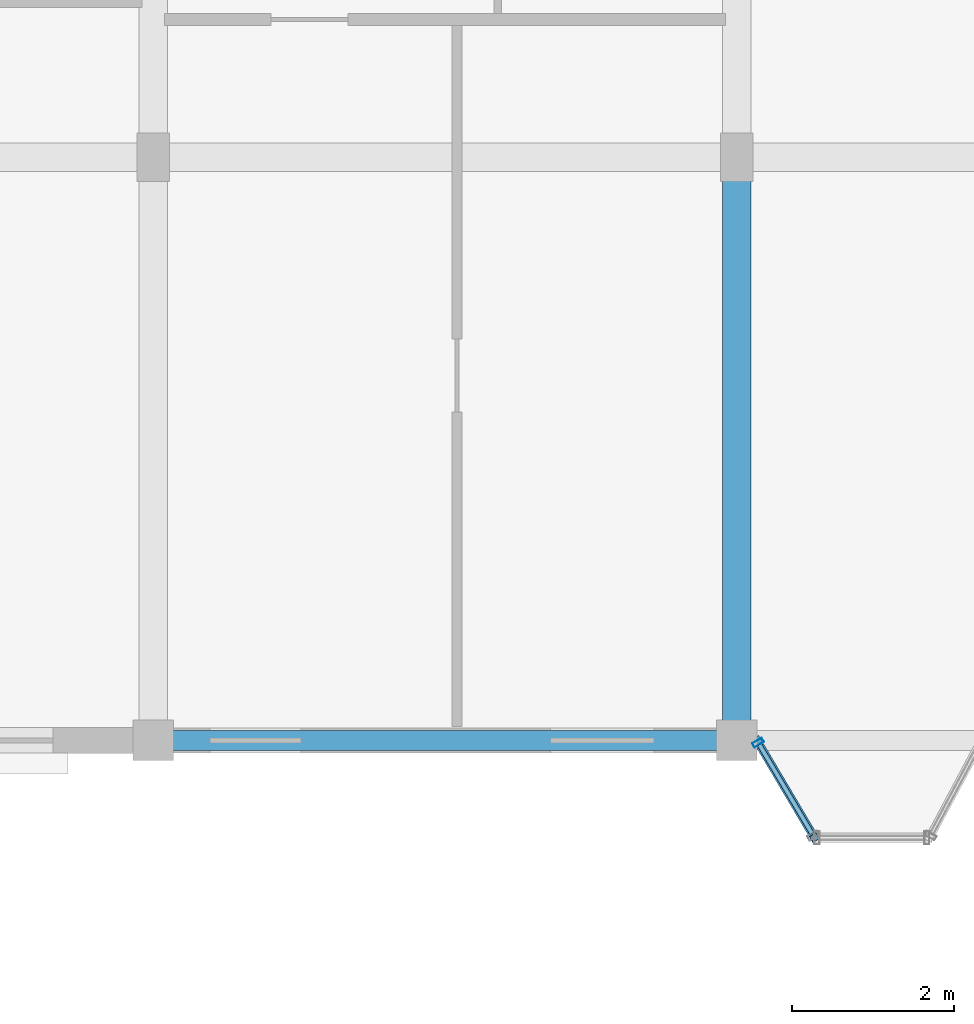
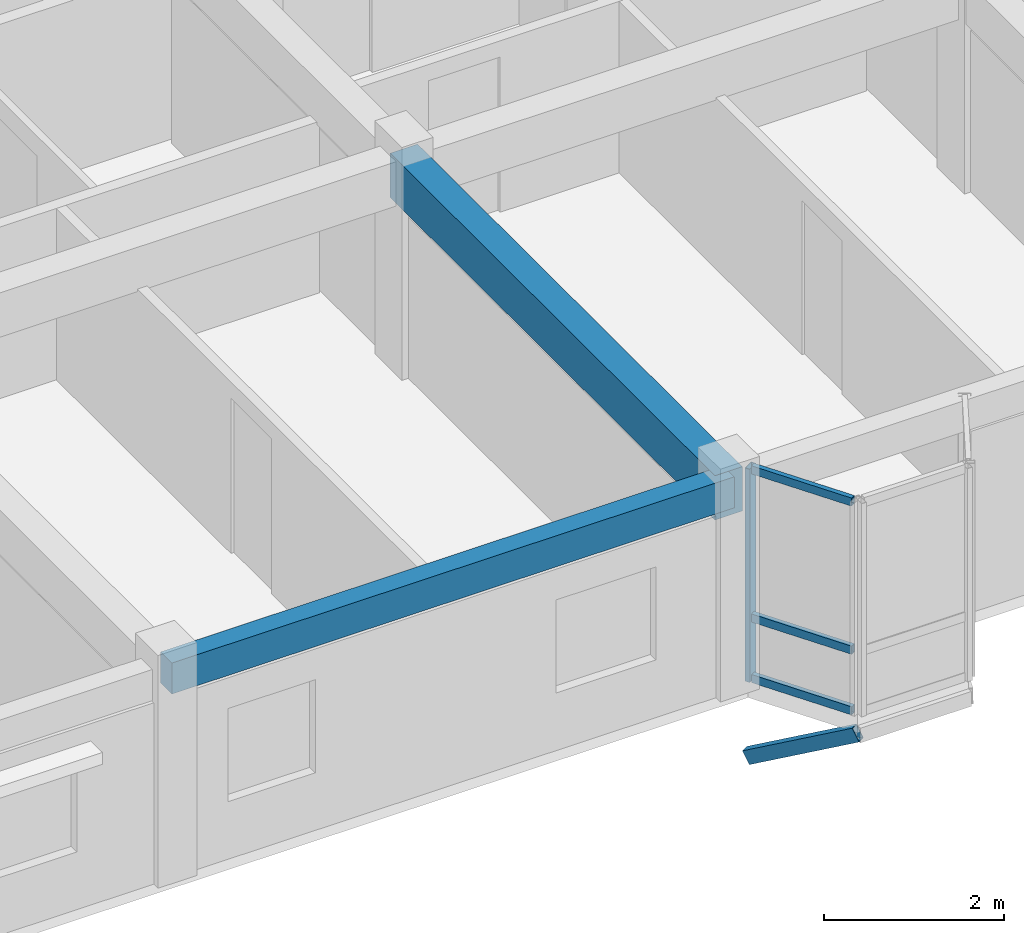
# One storey, part 31 of 70: 5 members, 2 beams, 1 element without a shape of its own.
"""IFC4 building model written with IfcOpenShell, lengths in metres."""

from ifc_helpers import new_model, si_unit, direction, frame, origin, origin_2d, place, context, subcontext, project, spatial, rectangle, hollow_rectangle, extrude, material, layer, layer_set, material_profile, profile_set, type_object, element, aggregate, save


model = new_model("IFC4")

# Units and contexts
model_context = context("Model", 3, precision=1e-05, world=origin(), true_north=direction((0.0, 1.0)))
body_context = subcontext(model_context, "Body", "Model", "MODEL_VIEW")
ifc_project = project(units=[si_unit("LENGTHUNIT", "METRE"), si_unit("AREAUNIT", "SQUARE_METRE"), si_unit("VOLUMEUNIT", "CUBIC_METRE"), si_unit("PLANEANGLEUNIT", "RADIAN"), si_unit("MASSUNIT", "GRAM", prefix="KILO"), si_unit("THERMODYNAMICTEMPERATUREUNIT", "KELVIN"), si_unit("POWERUNIT", "WATT")], contexts=[model_context])

# Site, building, storey
site_placement = place(None, origin())
site = spatial("IfcSite", under=ifc_project, at=site_placement, CompositionType="ELEMENT")
building_placement = place(site_placement, origin())
building = spatial("IfcBuilding", under=site, at=building_placement, Name="Tavuni Mirador Residences", CompositionType="ELEMENT")
storey_placement = place(building_placement, frame((0.0, 0.0, 23.39990234375)))
storey = spatial("IfcBuildingStorey", under=building, at=storey_placement, Name="L07", CompositionType="ELEMENT", Elevation=23.39990234375)

# Beams
ifc_material_1 = material(Name="Precast concrete C40/50", Category="concrete")
ifc_material_profile_1 = material_profile(ifc_material_1, rectangle(XDim=0.35009765625, YDim=0.60009765625, at=origin_2d()), Name="PC 350x600", Category="concrete")
ifc_profile_set_1 = profile_set([ifc_material_profile_1], Name="Precast concrete C40/50")
beam_type_1 = type_object("IfcBeamType", Name="BT-B600", PredefinedType="BEAM", material=ifc_profile_set_1)
beam_1_placement = place(storey_placement, frame((32.39990234375, 144.0, 2.585205078125), z_axis=(0.0, 1.0, 0.0), x_axis=(-1.0, 0.0, 0.0)))
element("IfcBeam", 1, at=beam_1_placement, inside=storey, type_object=beam_type_1, Name="BMY-BLK-C-L07-03-00", PredefinedType="BEAM", context=body_context, shape_type="SweptSolid", body=[
    extrude(rectangle(XDim=0.35009765625, YDim=0.60009765625, at=origin_2d()), origin(), (0.0, 0.0, 1.0), 7.199951171875),
])
ifc_material_profile_2 = material_profile(ifc_material_1, rectangle(XDim=0.25, YDim=0.419921875, at=origin_2d()), Name="PC 250x420", Category="concrete")
ifc_profile_set_2 = profile_set([ifc_material_profile_2], Name="Precast concrete C40/50")
beam_type_2 = type_object("IfcBeamType", Name="BT-SP420", PredefinedType="SPANDREL", material=ifc_profile_set_2)
beam_2_placement = place(storey_placement, frame((25.199951171875, 144.0, 2.675048828125), z_axis=(1.0, 0.0, 0.0), x_axis=(0.0, 1.0, 0.0)))
element("IfcBeam", 2, at=beam_2_placement, inside=storey, type_object=beam_type_2, Name="BMX-BLK-C-L07-02-00", PredefinedType="SPANDREL", context=body_context, shape_type="SweptSolid", body=[
    extrude(rectangle(XDim=0.25, YDim=0.419921875, at=origin_2d()), origin(), (0.0, 0.0, 1.0), 7.199951171875),
])

# Curtain wall, members
ifc_material_2 = material(Name="Anodised aluminium", Category="aluminium")
ifc_layer = layer(ifc_material_2, 0.175048828125, Name="Anodised aluminium", Category="aluminium")
ifc_layer_set = layer_set([ifc_layer], Name="Anodised aluminium")
curtain_wall_type = type_object("IfcCurtainWallType", Name="CWT-MIR-C", PredefinedType="NOTDEFINED", material=ifc_layer_set)
curtain_wall_placement = place(storey_placement, origin())
curtain_wall = element("IfcCurtainWall", 3, at=curtain_wall_placement, inside=storey, type_object=curtain_wall_type, Name="CW-MIR-C-S2-L07-M1", PredefinedType="NOTDEFINED")
ifc_material_profile_3 = material_profile(ifc_material_2, hollow_rectangle(XDim=0.06005859375, YDim=0.139892578125, WallThickness=0.00390625, at=origin_2d()), Name="ALU 60x140x4.0", Category="aluminium")
ifc_profile_set_3 = profile_set([ifc_material_profile_3], Name="Anodised aluminium")
member_type_1 = type_object("IfcMemberType", Name="CWM-140", PredefinedType="MULLION", material=ifc_profile_set_3)
member_1_placement = place(storey_placement, frame((32.665283203125, 143.97412109375, 0.0), z_axis=(0.0, 0.0, 1.0), x_axis=(0.509212491254, -0.860640830284, 0.0)))
member_1 = element("IfcMember", 4, at=member_1_placement, type_object=member_type_1, Name="CW-03 mullion 1", PredefinedType="MULLION", context=body_context, shape_type="SweptSolid", body=[
    extrude(hollow_rectangle(XDim=0.06005859375, YDim=0.139892578125, WallThickness=0.00390625, at=origin_2d()), origin(), (0.0, 0.0, 1.0), 2.885009765625),
])
ifc_material_profile_4 = material_profile(ifc_material_2, hollow_rectangle(XDim=0.06005859375, YDim=0.110107421875, WallThickness=0.00390625, at=origin_2d()), Name="ALU 60x110x4.0", Category="aluminium")
ifc_profile_set_4 = profile_set([ifc_material_profile_4], Name="Anodised aluminium")
member_type_2 = type_object("IfcMemberType", Name="CWT-110", PredefinedType="USERDEFINED", material=ifc_profile_set_4)
member_2_placement = place(storey_placement, frame((32.6806640625, 143.9482421875, 0.030029296875), z_axis=(0.509103678098, -0.860705202114, 0.0), x_axis=(0.860705202114, 0.509103678098, 0.0)))
member_2 = element("IfcMember", 5, at=member_2_placement, type_object=member_type_2, Name="CW-03 transom 1.1", ObjectType="TRANSOM", PredefinedType="USERDEFINED", context=body_context, shape_type="SweptSolid", body=[
    extrude(hollow_rectangle(XDim=0.06005859375, YDim=0.110107421875, WallThickness=0.00390625, at=origin_2d()), origin(), (0.0, 0.0, 1.0), 1.274169921875),
])
member_3_placement = place(storey_placement, frame((32.6806640625, 143.9482421875, 0.85009765625), z_axis=(0.509103678098, -0.860705202114, 0.0), x_axis=(0.860705202114, 0.509103678098, 0.0)))
member_3 = element("IfcMember", 6, at=member_3_placement, type_object=member_type_2, Name="CW-03 transom 1.2", ObjectType="TRANSOM", PredefinedType="USERDEFINED", context=body_context, shape_type="SweptSolid", body=[
    extrude(hollow_rectangle(XDim=0.06005859375, YDim=0.110107421875, WallThickness=0.00390625, at=origin_2d()), origin(), (0.0, 0.0, 1.0), 1.274169921875),
])
member_4_placement = place(storey_placement, frame((32.6806640625, 143.9482421875, 2.85498046875), z_axis=(0.509103678098, -0.860705202114, 0.0), x_axis=(0.860705202114, 0.509103678098, 0.0)))
member_4 = element("IfcMember", 7, at=member_4_placement, type_object=member_type_2, Name="CW-03 transom 1.3", ObjectType="TRANSOM", PredefinedType="USERDEFINED", context=body_context, shape_type="SweptSolid", body=[
    extrude(hollow_rectangle(XDim=0.06005859375, YDim=0.110107421875, WallThickness=0.00390625, at=origin_2d()), origin(), (0.0, 0.0, 1.0), 1.274169921875),
])
aggregate(curtain_wall, [member_1, member_2, member_3, member_4])

# Member
ifc_material_3 = material(Name="Structural steel S355", Category="steel")
ifc_material_profile_5 = material_profile(ifc_material_3, hollow_rectangle(XDim=0.10009765625, YDim=0.179931640625, WallThickness=0.008056640625, at=origin_2d()), Name="RHS 180x100x8.0", Category="steel")
ifc_profile_set_5 = profile_set([ifc_material_profile_5], Name="Structural steel S355")
member_type_3 = type_object("IfcMemberType", Name="MT-BR-RHS180", PredefinedType="BRACE", material=ifc_profile_set_5)
member_5_placement = place(storey_placement, frame((32.64990234375, 144.0, -1.0498046875), z_axis=(0.44384687269, -0.749916596518, 0.49053547463), x_axis=(0.860567285497, 0.509336771823, 0.0)))
element("IfcMember", 8, at=member_5_placement, inside=storey, type_object=member_type_3, Name="MBRK-MIR-C-S2-L07-1", PredefinedType="BRACE", context=body_context, shape_type="SweptSolid", body=[
    extrude(hollow_rectangle(XDim=0.10009765625, YDim=0.179931640625, WallThickness=0.008056640625, at=origin_2d()), origin(), (0.0, 0.0, 1.0), 1.60009765625),
])

save(model, "model.ifc")
